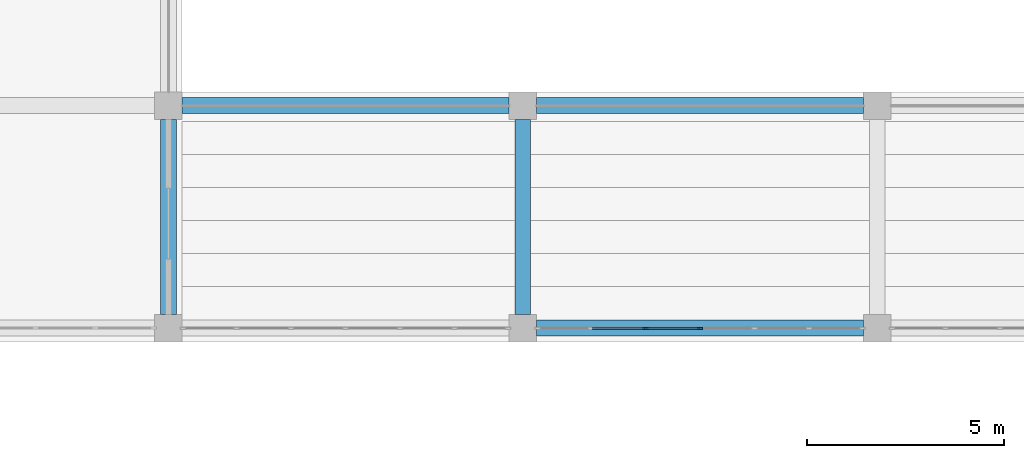
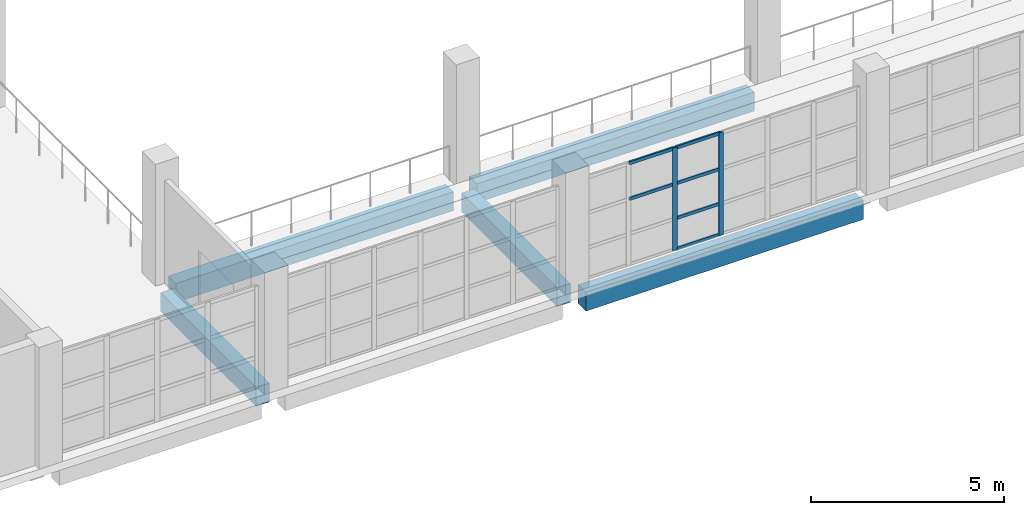
# One storey, part 3 of 36: 8 members, 5 beams, 1 element without a shape of its own.
"""IFC4 building model written with IfcOpenShell, lengths in metres."""

from ifc_helpers import new_model, si_unit, direction, frame, origin, origin_2d, place, context, subcontext, project, spatial, rectangle, extrude, material, layer, layer_set, material_profile, profile_set, type_object, element, aggregate, save


model = new_model("IFC4")

# Units and contexts
model_context = context("Model", 3, precision=1e-05, world=origin(), true_north=direction((0.0, 1.0)))
body_context = subcontext(model_context, "Body", "Model", "MODEL_VIEW")
ifc_project = project(units=[si_unit("LENGTHUNIT", "METRE"), si_unit("AREAUNIT", "SQUARE_METRE"), si_unit("VOLUMEUNIT", "CUBIC_METRE"), si_unit("PLANEANGLEUNIT", "RADIAN"), si_unit("MASSUNIT", "GRAM", prefix="KILO")], contexts=[model_context])

# Site, building, storey
site_placement = place(None, origin())
site = spatial("IfcSite", under=ifc_project, at=site_placement, CompositionType="ELEMENT")
building_placement = place(site_placement, origin())
building = spatial("IfcBuilding", under=site, at=building_placement, Name="Corbel Stack Research Tower", CompositionType="ELEMENT")
storey_placement = place(building_placement, frame((0.0, 0.0, 7.199951171875)))
storey = spatial("IfcBuildingStorey", under=building, at=storey_placement, Name="L01", CompositionType="ELEMENT", Elevation=7.199951171875)

# Curtain wall, members
ifc_material_1 = material(Name="Aluminium", Category="aluminium")
ifc_layer = layer(ifc_material_1, 0.139892578125)
ifc_layer_set = layer_set([ifc_layer], Name="Aluminium")
curtain_wall_type = type_object("IfcCurtainWallType", Name="CW6 gallery curtain wall", PredefinedType="NOTDEFINED", material=ifc_layer_set)
curtain_wall_placement = place(storey_placement, origin())
curtain_wall = element("IfcCurtainWall", 1, at=curtain_wall_placement, inside=storey, type_object=curtain_wall_type, Name="Gallery curtain wall L01 6", PredefinedType="NOTDEFINED")
ifc_material_2 = material(Name="Aluminium", Category="aluminium")
ifc_material_profile_1 = material_profile(ifc_material_2, rectangle(XDim=0.050048828125, YDim=0.139892578125, at=origin_2d()), Name="Mullion 50 x 140")
ifc_profile_set_1 = profile_set([ifc_material_profile_1], Name="Aluminium")
member_type_1 = type_object("IfcMemberType", Name="CW6 mullion 50 x 140", PredefinedType="MULLION", material=ifc_profile_set_1)
member_1_placement = place(storey_placement, frame((63.066650390625, -23.64990234375, 0.0), z_axis=(0.0, 0.0, 1.0), x_axis=(0.0, 1.0, 0.0)))
member_1 = element("IfcMember", 2, at=member_1_placement, type_object=member_type_1, Name="CW6 mullion 3", PredefinedType="MULLION", context=body_context, shape_type="SweptSolid", body=[
    extrude(rectangle(XDim=0.050048828125, YDim=0.139892578125, at=origin_2d()), origin(), (0.0, 0.0, 1.0), 3.25),
])
member_2_placement = place(storey_placement, frame((64.449951171875, -23.64990234375, 0.0), z_axis=(0.0, 0.0, 1.0), x_axis=(0.0, 1.0, 0.0)))
member_2 = element("IfcMember", 3, at=member_2_placement, type_object=member_type_1, Name="CW6 mullion 4", PredefinedType="MULLION", context=body_context, shape_type="SweptSolid", body=[
    extrude(rectangle(XDim=0.050048828125, YDim=0.139892578125, at=origin_2d()), origin(), (0.0, 0.0, 1.0), 3.25),
])
ifc_material_3 = material(Name="Aluminium", Category="aluminium")
ifc_material_profile_2 = material_profile(ifc_material_3, rectangle(XDim=0.050048828125, YDim=0.10009765625, at=origin_2d()), Name="Transom 50 x 100")
ifc_profile_set_2 = profile_set([ifc_material_profile_2], Name="Aluminium")
member_type_2 = type_object("IfcMemberType", Name="CW6 transom 50 x 100", PredefinedType="USERDEFINED", material=ifc_profile_set_2)
member_3_placement = place(storey_placement, frame((61.708251953125, -23.64990234375, 2.10009765625), z_axis=(1.0, 0.0, 0.0), x_axis=(0.0, 1.0, 0.0)))
member_3 = element("IfcMember", 4, at=member_3_placement, type_object=member_type_2, Name="CW6 transom 2.3", ObjectType="TRANSOM", PredefinedType="USERDEFINED", context=body_context, shape_type="SweptSolid", body=[
    extrude(rectangle(XDim=0.050048828125, YDim=0.10009765625, at=origin_2d()), origin(), (0.0, 0.0, 1.0), 1.33349609375),
])
member_4_placement = place(storey_placement, frame((61.708251953125, -23.64990234375, 3.22509765625), z_axis=(1.0, 0.0, 0.0), x_axis=(0.0, 1.0, 0.0)))
member_4 = element("IfcMember", 5, at=member_4_placement, type_object=member_type_2, Name="CW6 transom 2.4", ObjectType="TRANSOM", PredefinedType="USERDEFINED", context=body_context, shape_type="SweptSolid", body=[
    extrude(rectangle(XDim=0.050048828125, YDim=0.10009765625, at=origin_2d()), origin(), (0.0, 0.0, 1.0), 1.33349609375),
])
member_5_placement = place(storey_placement, frame((63.091552734375, -23.64990234375, 0.025146484375), z_axis=(1.0, 0.0, 0.0), x_axis=(0.0, 1.0, 0.0)))
member_5 = element("IfcMember", 6, at=member_5_placement, type_object=member_type_2, Name="CW6 transom 3.1", ObjectType="TRANSOM", PredefinedType="USERDEFINED", context=body_context, shape_type="SweptSolid", body=[
    extrude(rectangle(XDim=0.050048828125, YDim=0.10009765625, at=origin_2d()), origin(), (0.0, 0.0, 1.0), 1.33349609375),
])
member_6_placement = place(storey_placement, frame((63.091552734375, -23.64990234375, 1.0), z_axis=(1.0, 0.0, 0.0), x_axis=(0.0, 1.0, 0.0)))
member_6 = element("IfcMember", 7, at=member_6_placement, type_object=member_type_2, Name="CW6 transom 3.2", ObjectType="TRANSOM", PredefinedType="USERDEFINED", context=body_context, shape_type="SweptSolid", body=[
    extrude(rectangle(XDim=0.050048828125, YDim=0.10009765625, at=origin_2d()), origin(), (0.0, 0.0, 1.0), 1.33349609375),
])
member_7_placement = place(storey_placement, frame((63.091552734375, -23.64990234375, 2.10009765625), z_axis=(1.0, 0.0, 0.0), x_axis=(0.0, 1.0, 0.0)))
member_7 = element("IfcMember", 8, at=member_7_placement, type_object=member_type_2, Name="CW6 transom 3.3", ObjectType="TRANSOM", PredefinedType="USERDEFINED", context=body_context, shape_type="SweptSolid", body=[
    extrude(rectangle(XDim=0.050048828125, YDim=0.10009765625, at=origin_2d()), origin(), (0.0, 0.0, 1.0), 1.33349609375),
])
member_8_placement = place(storey_placement, frame((63.091552734375, -23.64990234375, 3.22509765625), z_axis=(1.0, 0.0, 0.0), x_axis=(0.0, 1.0, 0.0)))
member_8 = element("IfcMember", 9, at=member_8_placement, type_object=member_type_2, Name="CW6 transom 3.4", ObjectType="TRANSOM", PredefinedType="USERDEFINED", context=body_context, shape_type="SweptSolid", body=[
    extrude(rectangle(XDim=0.050048828125, YDim=0.10009765625, at=origin_2d()), origin(), (0.0, 0.0, 1.0), 1.33349609375),
])
aggregate(curtain_wall, [member_1, member_2, member_3, member_4, member_5, member_6, member_7, member_8])

# Beams
ifc_material_4 = material(Name="Concrete C40/50", Category="concrete")
ifc_material_profile_3 = material_profile(ifc_material_4, rectangle(XDim=0.39990234375, YDim=0.60009765625, at=origin_2d()), Name="RC 400 x 600")
ifc_profile_set_3 = profile_set([ifc_material_profile_3], Name="Concrete C40/50")
beam_type = type_object("IfcBeamType", Name="HB1 RC beam 400 x 600", PredefinedType="BEAM", material=ifc_profile_set_3)
beam_1_placement = place(storey_placement, frame((50.949951171875, -23.300048828125, -0.550048828125), z_axis=(0.0, 1.0, 0.0), x_axis=(-1.0, 0.0, 0.0)))
element("IfcBeam", 10, at=beam_1_placement, inside=storey, type_object=beam_type, Name="Floor beam L01 H3HA-H3HB", PredefinedType="BEAM", context=body_context, shape_type="SweptSolid", body=[
    extrude(rectangle(XDim=0.39990234375, YDim=0.60009765625, at=origin_2d()), origin(), (0.0, 0.0, 1.0), 4.949951171875),
])
for number, where, z_axis, x_axis, name in (
    (11, (51.300048828125, -18.0, -0.550048828125), (1.0, 0.0, 0.0), (0.0, 1.0, 0.0), "Floor beam L01 H3HB-H4HB"),
    (12, (60.300048828125, -23.64990234375, -0.550048828125), (1.0, 0.0, 0.0), (0.0, 1.0, 0.0), "Floor beam L01 H4HA-H5HA"),
):
    element("IfcBeam", number, at=place(storey_placement, frame(where, z_axis=z_axis, x_axis=x_axis)), inside=storey, type_object=beam_type, Name=name, PredefinedType="BEAM", context=body_context, shape_type="SweptSolid", body=[
        extrude(rectangle(XDim=0.39990234375, YDim=0.60009765625, at=origin_2d()), origin(), (0.0, 0.0, 1.0), 8.300048828125),
    ])
beam_2_placement = place(storey_placement, frame((59.949951171875, -23.300048828125, -0.550048828125), z_axis=(0.0, 1.0, 0.0), x_axis=(-1.0, 0.0, 0.0)))
element("IfcBeam", 13, at=beam_2_placement, inside=storey, type_object=beam_type, Name="Floor beam L01 H4HA-H4HB", PredefinedType="BEAM", context=body_context, shape_type="SweptSolid", body=[
    extrude(rectangle(XDim=0.39990234375, YDim=0.60009765625, at=origin_2d()), origin(), (0.0, 0.0, 1.0), 4.949951171875),
])
beam_3_placement = place(storey_placement, frame((60.300048828125, -18.0, -0.550048828125), z_axis=(1.0, 0.0, 0.0), x_axis=(0.0, 1.0, 0.0)))
element("IfcBeam", 14, at=beam_3_placement, inside=storey, type_object=beam_type, Name="Floor beam L01 H4HB-H5HB", PredefinedType="BEAM", context=body_context, shape_type="SweptSolid", body=[
    extrude(rectangle(XDim=0.39990234375, YDim=0.60009765625, at=origin_2d()), origin(), (0.0, 0.0, 1.0), 8.300048828125),
])

save(model, "model.ifc")
